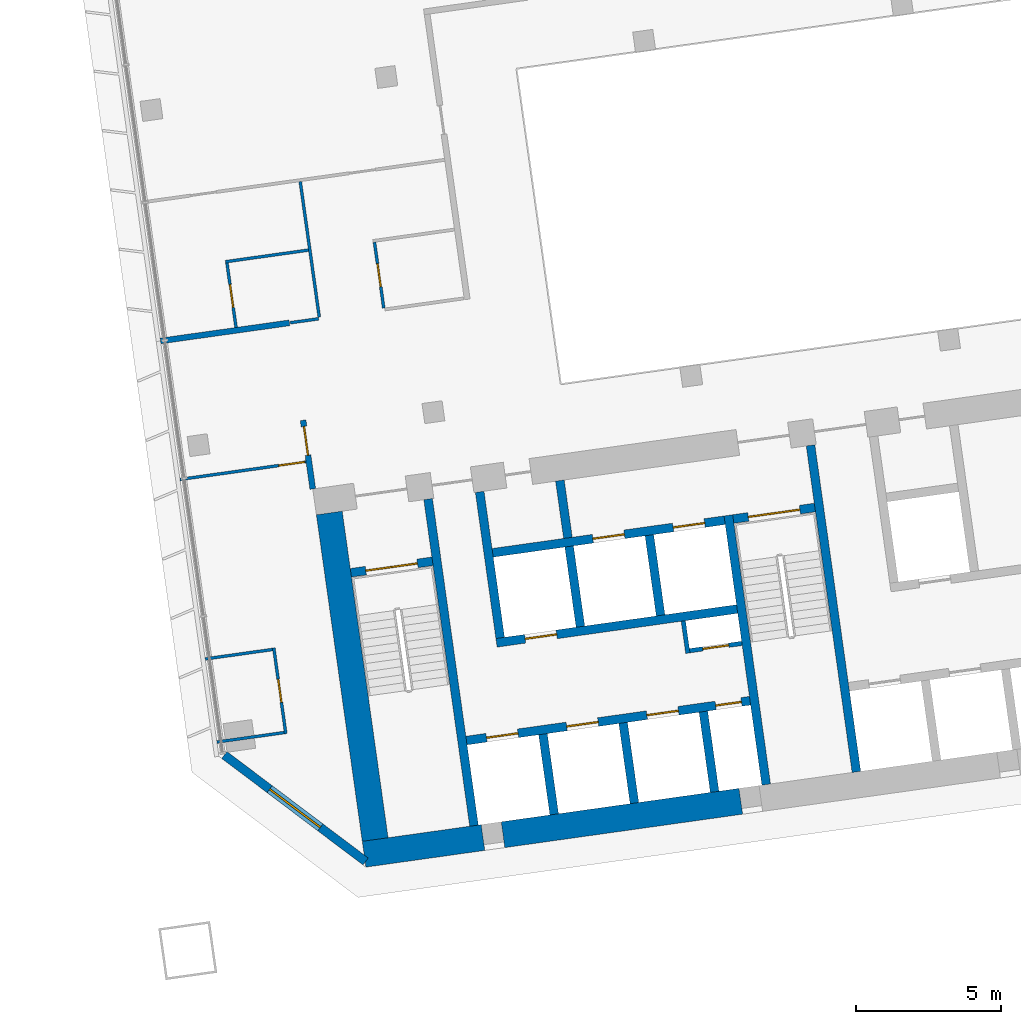
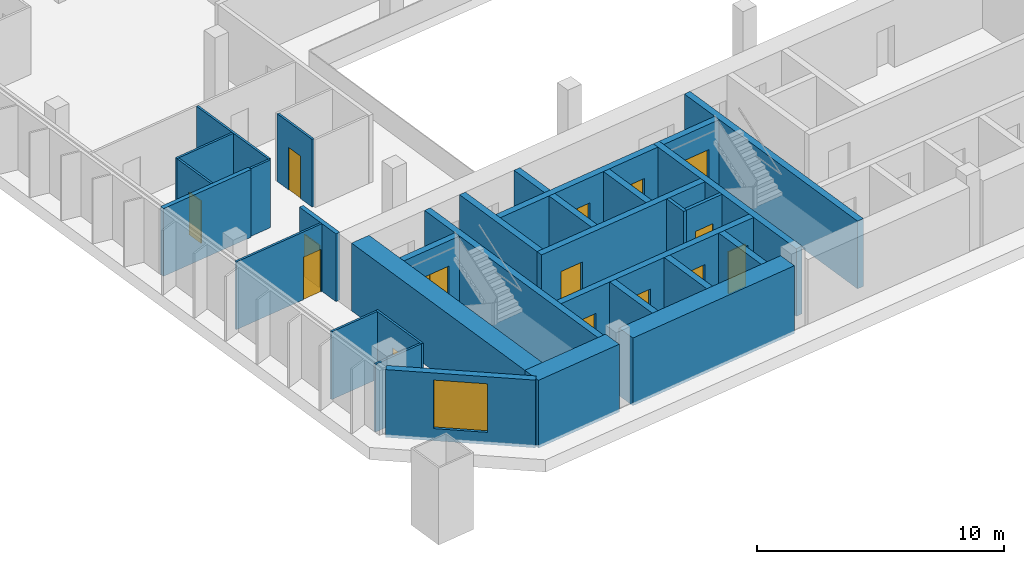
# One storey, part 19 of 25: 32 walls, 15 doors, 1 window, 16 openings.
"""IFC4 building model written with IfcOpenShell, lengths in metres."""

from ifc_helpers import new_model, si_unit, direction, frame, frame_2d, origin, place, context, subcontext, project, spatial, rectangle, extrude, material, layer, layer_set, type_object, element, fill, save


model = new_model("IFC4")

# Units and contexts
model_context = context("Model", 3, precision=1e-05, world=origin(), true_north=direction((0.0, 1.0)))
body_context = subcontext(model_context, "Body", "Model", "MODEL_VIEW")
ifc_project = project(units=[si_unit("LENGTHUNIT", "METRE"), si_unit("AREAUNIT", "SQUARE_METRE"), si_unit("VOLUMEUNIT", "CUBIC_METRE"), si_unit("PLANEANGLEUNIT", "RADIAN"), si_unit("MASSUNIT", "GRAM", prefix="KILO")], contexts=[model_context])

# Site, building, storey
site_placement = place(None, origin())
site = spatial("IfcSite", under=ifc_project, at=site_placement, CompositionType="ELEMENT")
building_placement = place(site_placement, origin())
building = spatial("IfcBuilding", under=site, at=building_placement, Name="Mirante Cascada Hotel Towers", CompositionType="ELEMENT")
storey_placement = place(building_placement, frame((0.0, 0.0, 62.3)))
storey = spatial("IfcBuildingStorey", under=building, at=storey_placement, Name="L12", CompositionType="ELEMENT", Elevation=62.3)

# Wall
ifc_material_1 = material(Name="Fire-rated plasterboard on metal studs")
ifc_layer_1 = layer(ifc_material_1, 0.2)
ifc_layer_set_1 = layer_set([ifc_layer_1], Name="Compartment wall 200 EI 120")
wall_type_1 = type_object("IfcWallType", Name="Compartment wall 200 EI 120", PredefinedType="PARTITIONING", material=ifc_layer_set_1)
wall_1_placement = place(storey_placement, frame((34.4562, -1.3737, 0.0), z_axis=(0.0, 0.0, 1.0), x_axis=(-0.9902674, -0.1391779, 0.0)))
element("IfcWall", 1, at=wall_1_placement, inside=storey, type_object=wall_type_1, Name="Wall 2-L12-04", PredefinedType="PARTITIONING", context=body_context, shape_type="SweptSolid", body=[
    extrude(rectangle(XDim=4.5, YDim=0.2, at=frame_2d((2.25, 0.0))), origin(), (0.0, 0.0, 1.0), 3.35),
])

# Wall, opening, door
wall_2_placement = place(storey_placement, frame((35.2634, -7.1173, 0.0), z_axis=(0.0, 0.0, 1.0), x_axis=(-0.1391635, 0.9902694, 0.0)))
wall_2 = element("IfcWall", 2, at=wall_2_placement, inside=storey, type_object=wall_type_1, Name="Wall 2-L12-33", PredefinedType="PARTITIONING", context=body_context, shape_type="SweptSolid", body=[
    extrude(rectangle(XDim=2.4001, YDim=0.2, at=frame_2d((1.2, 0.0))), origin(), (0.0, 0.0, 1.0), 3.35),
])
opening_1_placement = place(wall_2_placement, frame((1.1833, 0.0, 0.0)))
opening_1 = element("IfcOpeningElement", 3, at=opening_1_placement, cuts=wall_2, Name="Opening D2-L12-28", PredefinedType="OPENING", context=body_context, shape_type="SweptSolid", body=[
    extrude(rectangle(XDim=1.0, YDim=2.1, at=frame_2d((0.5, 1.05))), frame((0.0, 0.1, 0.0), z_axis=(0.0, -1.0, 0.0), x_axis=(1.0, 0.0, 0.0)), (0.0, 0.0, 1.0), 0.2),
])
ifc_material_2 = material(Name="Fire-rated timber door leaf", Category="wood")
door_type_1 = type_object("IfcDoorType", Name="Entrance door DG1 1000x2100 EI 60", OperationType="SINGLE_SWING_LEFT", PredefinedType="DOOR", material=ifc_material_2)
door_1_placement = place(opening_1_placement, origin())
door_1 = element("IfcDoor", 4, at=door_1_placement, inside=storey, type_object=door_type_1, Name="Door D2-L12-28", OperationType="SINGLE_SWING_LEFT", OverallHeight=2.1, OverallWidth=1.0, PredefinedType="DOOR", context=body_context, shape_type="SweptSolid", body=[
    extrude(rectangle(XDim=1.0, YDim=2.1, at=frame_2d((0.5, 1.05))), frame((0.0, 0.025, 0.0), z_axis=(0.0, -1.0, 0.0), x_axis=(1.0, 0.0, 0.0)), (0.0, 0.0, 1.0), 0.05),
])
fill(opening_1, door_1)

# Wall
ifc_material_3 = material(Name="Masonry block", Category="masonry")
ifc_layer_2 = layer(ifc_material_3, 0.15)
ifc_layer_set_2 = layer_set([ifc_layer_2], Name="Core room partition 150 block EI 30")
wall_type_2 = type_object("IfcWallType", Name="Core room partition 150 block EI 30", PredefinedType="PARTITIONING", material=ifc_layer_set_2)
wall_3_placement = place(storey_placement, frame((48.2295, -12.793, 0.0), z_axis=(0.0, 0.0, 1.0), x_axis=(-0.1391935, 0.9902652, 0.0)))
element("IfcWall", 5, at=wall_3_placement, inside=storey, type_object=wall_type_2, Name="Core wall partition T2 L12 2", PredefinedType="PARTITIONING", context=body_context, shape_type="SweptSolid", body=[
    extrude(rectangle(XDim=1.1251, YDim=0.15, at=frame_2d((0.5626, 0.0))), origin(), (0.0, 0.0, 1.0), 3.35),
])

# Wall, opening, door
wall_4_placement = place(storey_placement, frame((48.2933, -12.7083, 0.0), z_axis=(0.0, 0.0, 1.0), x_axis=(0.990268, 0.1391734, 0.0)))
wall_4 = element("IfcWall", 6, at=wall_4_placement, inside=storey, type_object=wall_type_2, Name="Core wall partition T2 L12 3", PredefinedType="PARTITIONING", context=body_context, shape_type="SweptSolid", body=[
    extrude(rectangle(XDim=1.8251, YDim=0.15, at=frame_2d((0.9126, 0.0))), origin(), (0.0, 0.0, 1.0), 3.35),
])
opening_2_placement = place(wall_4_placement, frame((0.4625, 0.0, 0.0)))
opening_2 = element("IfcOpeningElement", 7, at=opening_2_placement, cuts=wall_4, Name="Opening D2-12-C23", PredefinedType="OPENING", context=body_context, shape_type="SweptSolid", body=[
    extrude(rectangle(XDim=0.9, YDim=2.1, at=frame_2d((0.45, 1.05))), frame((0.0, 0.075, 0.0), z_axis=(0.0, -1.0, 0.0), x_axis=(1.0, 0.0, 0.0)), (0.0, 0.0, 1.0), 0.15),
])
ifc_material_4 = material(Name="Hollow metal fire door leaf")
door_type_2 = type_object("IfcDoorType", Name="Fire door 900x2100 FD60", OperationType="NOTDEFINED", PredefinedType="DOOR", material=ifc_material_4)
door_2_placement = place(opening_2_placement, frame((0.9, 0.0, 0.0), z_axis=(0.0, 0.0, 1.0), x_axis=(-1.0, 0.0, 0.0)))
door_2 = element("IfcDoor", 8, at=door_2_placement, inside=storey, type_object=door_type_2, Name="Riser door T2 L12 23", OperationType="SINGLE_SWING_RIGHT", OverallHeight=2.1, OverallWidth=0.9, PredefinedType="DOOR", context=body_context, shape_type="SweptSolid", body=[
    extrude(rectangle(XDim=0.9, YDim=2.1, at=frame_2d((0.45, 1.05))), frame((0.0, 0.025, 0.0), z_axis=(0.0, -1.0, 0.0), x_axis=(1.0, 0.0, 0.0)), (0.0, 0.0, 1.0), 0.05),
])
fill(opening_2, door_2)

# Walls
ifc_material_5 = material(Name="Masonry block", Category="masonry")
ifc_layer_3 = layer(ifc_material_5, 0.3)
ifc_layer_set_3 = layer_set([ifc_layer_3], Name="Core wall 300 block EI 120")
wall_type_3 = type_object("IfcWallType", Name="Core wall 300 block EI 120", PredefinedType="PARTITIONING", material=ifc_layer_set_3)
wall_5_placement = place(storey_placement, frame((44.0843, -8.8061, 0.0), z_axis=(0.0, 0.0, 1.0), x_axis=(-0.1391951, 0.990265, 0.0)))
element("IfcWall", 9, at=wall_5_placement, inside=storey, type_object=wall_type_3, Name="Core wall partition T2 L12 1", PredefinedType="PARTITIONING", context=body_context, shape_type="SweptSolid", body=[
    extrude(rectangle(XDim=2.0001, YDim=0.3, at=frame_2d((1.0001, 0.0))), origin(), (0.0, 0.0, 1.0), 3.35),
])
ifc_material_6 = material(Name="Plasterboard on metal studs")
ifc_layer_4 = layer(ifc_material_6, 0.1)
ifc_layer_set_4 = layer_set([ifc_layer_4], Name="Partition 100")
wall_type_4 = type_object("IfcWallType", Name="Partition 100", PredefinedType="PARTITIONING", material=ifc_layer_set_4)
for number, where, z_axis, x_axis, name in (
    (10, (31.9484, -15.8638, 0.0), (0.0, 0.0, 1.0), (0.9902661, 0.139187, 0.0), "Wall 2-L12-01"),
    (11, (33.872, -12.6649, 0.0), (0.0, 0.0, 1.0), (-0.9902661, -0.139187, 0.0), "Wall 2-L12-02"),
):
    element("IfcWall", number, at=place(storey_placement, frame(where, z_axis=z_axis, x_axis=x_axis)), inside=storey, type_object=wall_type_4, Name=name, PredefinedType="PARTITIONING", context=body_context, shape_type="SweptSolid", body=[
        extrude(rectangle(XDim=2.3501, YDim=0.1, at=frame_2d((1.175, 0.0))), origin(), (0.0, 0.0, 1.0), 3.35),
    ])

# Wall, opening, door
wall_6_placement = place(storey_placement, frame((30.6727, -6.7863, 0.0), z_axis=(0.0, 0.0, 1.0), x_axis=(0.9902665, 0.1391841, 0.0)))
wall_6 = element("IfcWall", 12, at=wall_6_placement, inside=storey, type_object=wall_type_4, Name="Wall 2-L12-03", PredefinedType="PARTITIONING", context=body_context, shape_type="SweptSolid", body=[
    extrude(rectangle(XDim=4.3999, YDim=0.1, at=frame_2d((2.2, 0.0))), origin(), (0.0, 0.0, 1.0), 3.35),
])
opening_3_placement = place(wall_6_placement, frame((3.45, 0.0, 0.0)))
opening_3 = element("IfcOpeningElement", 13, at=opening_3_placement, cuts=wall_6, Name="Opening D2-L12-01", PredefinedType="OPENING", context=body_context, shape_type="SweptSolid", body=[
    extrude(rectangle(XDim=0.9, YDim=2.1, at=frame_2d((0.45, 1.05))), frame((0.0, 0.05, 0.0), z_axis=(0.0, -1.0, 0.0), x_axis=(1.0, 0.0, 0.0)), (0.0, 0.0, 1.0), 0.1),
])
ifc_material_7 = material(Name="Timber door leaf", Category="wood")
door_type_3 = type_object("IfcDoorType", Name="Room door DG3 900x2100", OperationType="SINGLE_SWING_LEFT", PredefinedType="DOOR", material=ifc_material_7)
door_3_placement = place(opening_3_placement, frame((0.9, 0.0, 0.0), z_axis=(0.0, 0.0, 1.0), x_axis=(-1.0, 0.0, 0.0)))
door_3 = element("IfcDoor", 14, at=door_3_placement, inside=storey, type_object=door_type_3, Name="Door D2-L12-01", OperationType="SINGLE_SWING_RIGHT", OverallHeight=2.1, OverallWidth=0.9, PredefinedType="DOOR", context=body_context, shape_type="SweptSolid", body=[
    extrude(rectangle(XDim=0.9, YDim=2.1, at=frame_2d((0.45, 1.05))), frame((0.0, 0.025, 0.0), z_axis=(0.0, -1.0, 0.0), x_axis=(1.0, 0.0, 0.0)), (0.0, 0.0, 1.0), 0.05),
])
fill(opening_3, door_3)

# Walls
wall_7_placement = place(storey_placement, frame((34.4859, -1.3695, 0.0), z_axis=(0.0, 0.0, 1.0), x_axis=(0.9902801, 0.1390877, 0.0)))
element("IfcWall", 15, at=wall_7_placement, inside=storey, type_object=wall_type_4, Name="Wall 2-L12-05", PredefinedType="PARTITIONING", context=body_context, shape_type="SweptSolid", body=[
    extrude(rectangle(XDim=0.99, YDim=0.1, at=frame_2d((0.495, 0.0))), origin(), (0.0, 0.0, 1.0), 3.35),
])
wall_8_placement = place(storey_placement, frame((35.1125, 1.1421, 0.0), z_axis=(0.0, 0.0, 1.0), x_axis=(-0.9902683, -0.1391714, 0.0)))
element("IfcWall", 16, at=wall_8_placement, inside=storey, type_object=wall_type_4, Name="Wall 2-L12-08", PredefinedType="PARTITIONING", context=body_context, shape_type="SweptSolid", body=[
    extrude(rectangle(XDim=2.9, YDim=0.1, at=frame_2d((1.45, 0.0))), origin(), (0.0, 0.0, 1.0), 3.35),
])

# Wall, opening, door
wall_9_placement = place(storey_placement, frame((34.332, -15.5793, 0.0), z_axis=(0.0, 0.0, 1.0), x_axis=(-0.1391624, 0.9902696, 0.0)))
wall_9 = element("IfcWall", 17, at=wall_9_placement, inside=storey, type_object=wall_type_4, Name="Wall 2-L12-31", PredefinedType="PARTITIONING", context=body_context, shape_type="SweptSolid", body=[
    extrude(rectangle(XDim=3.0001, YDim=0.1, at=frame_2d((1.5001, 0.0))), origin(), (0.0, 0.0, 1.0), 3.35),
])
opening_4_placement = place(wall_9_placement, frame((1.1, 0.0, 0.0)))
opening_4 = element("IfcOpeningElement", 18, at=opening_4_placement, cuts=wall_9, Name="Opening D2-L12-26", PredefinedType="OPENING", context=body_context, shape_type="SweptSolid", body=[
    extrude(rectangle(XDim=0.8, YDim=2.1, at=frame_2d((0.4, 1.05))), frame((0.0, 0.05, 0.0), z_axis=(0.0, -1.0, 0.0), x_axis=(1.0, 0.0, 0.0)), (0.0, 0.0, 1.0), 0.1),
])
ifc_material_8 = material(Name="Timber door leaf", Category="wood")
door_type_4 = type_object("IfcDoorType", Name="Bathroom door DG4 800x2100", OperationType="SINGLE_SWING_LEFT", PredefinedType="DOOR", material=ifc_material_8)
door_4_placement = place(opening_4_placement, frame((0.8, 0.0, 0.0), z_axis=(0.0, 0.0, 1.0), x_axis=(-1.0, 0.0, 0.0)))
door_4 = element("IfcDoor", 19, at=door_4_placement, inside=storey, type_object=door_type_4, Name="Door D2-L12-26", OperationType="SINGLE_SWING_RIGHT", OverallHeight=2.1, OverallWidth=0.8, PredefinedType="DOOR", context=body_context, shape_type="SweptSolid", body=[
    extrude(rectangle(XDim=0.8, YDim=2.1, at=frame_2d((0.4, 1.05))), frame((0.0, 0.025, 0.0), z_axis=(0.0, -1.0, 0.0), x_axis=(1.0, 0.0, 0.0)), (0.0, 0.0, 1.0), 0.05),
])
fill(opening_4, door_4)

wall_10_placement = place(storey_placement, frame((32.2972, 0.6959, 0.0), z_axis=(0.0, 0.0, 1.0), x_axis=(0.1391561, -0.9902705, 0.0)))
wall_10 = element("IfcWall", 20, at=wall_10_placement, inside=storey, type_object=wall_type_4, Name="Wall 2-L12-32", PredefinedType="PARTITIONING", context=body_context, shape_type="SweptSolid", body=[
    extrude(rectangle(XDim=2.25, YDim=0.1, at=frame_2d((1.125, 0.0))), origin(), (0.0, 0.0, 1.0), 3.35),
])
opening_5_placement = place(wall_10_placement, frame((0.75, 0.0, 0.0)))
opening_5 = element("IfcOpeningElement", 21, at=opening_5_placement, cuts=wall_10, Name="Opening D2-L12-27", PredefinedType="OPENING", context=body_context, shape_type="SweptSolid", body=[
    extrude(rectangle(XDim=0.8, YDim=2.1, at=frame_2d((0.4, 1.05))), frame((0.0, 0.05, 0.0), z_axis=(0.0, -1.0, 0.0), x_axis=(1.0, 0.0, 0.0)), (0.0, 0.0, 1.0), 0.1),
])
door_5_placement = place(opening_5_placement, origin())
door_5 = element("IfcDoor", 22, at=door_5_placement, inside=storey, type_object=door_type_4, Name="Door D2-L12-27", OperationType="SINGLE_SWING_LEFT", OverallHeight=2.1, OverallWidth=0.8, PredefinedType="DOOR", context=body_context, shape_type="SweptSolid", body=[
    extrude(rectangle(XDim=0.8, YDim=2.1, at=frame_2d((0.4, 1.05))), frame((0.0, 0.025, 0.0), z_axis=(0.0, -1.0, 0.0), x_axis=(1.0, 0.0, 0.0)), (0.0, 0.0, 1.0), 0.05),
])
fill(opening_5, door_5)

# Wall
wall_11_placement = place(storey_placement, frame((35.489, -1.1781, 0.0), z_axis=(0.0, 0.0, 1.0), x_axis=(-0.1391613, 0.9902697, 0.0)))
element("IfcWall", 23, at=wall_11_placement, inside=storey, type_object=wall_type_4, Name="Wall 2-L12-35", PredefinedType="PARTITIONING", context=body_context, shape_type="SweptSolid", body=[
    extrude(rectangle(XDim=4.7334, YDim=0.1, at=frame_2d((2.3667, 0.0))), origin(), (0.0, 0.0, 1.0), 3.35),
])

# Wall, opening, door
wall_12_placement = place(storey_placement, frame((37.397, 1.4127, 0.0), z_axis=(0.0, 0.0, 1.0), x_axis=(0.1391749, -0.9902678, 0.0)))
wall_12 = element("IfcWall", 24, at=wall_12_placement, inside=storey, type_object=wall_type_4, Name="Wall 2-L12-36", PredefinedType="PARTITIONING", context=body_context, shape_type="SweptSolid", body=[
    extrude(rectangle(XDim=2.3, YDim=0.1, at=frame_2d((1.15, 0.0))), origin(), (0.0, 0.0, 1.0), 3.35),
])
opening_6_placement = place(wall_12_placement, frame((0.75, 0.0, 0.0)))
opening_6 = element("IfcOpeningElement", 25, at=opening_6_placement, cuts=wall_12, Name="Opening D2-L12-30", PredefinedType="OPENING", context=body_context, shape_type="SweptSolid", body=[
    extrude(rectangle(XDim=0.8, YDim=2.1, at=frame_2d((0.4, 1.05))), frame((0.0, 0.05, 0.0), z_axis=(0.0, -1.0, 0.0), x_axis=(1.0, 0.0, 0.0)), (0.0, 0.0, 1.0), 0.1),
])
door_6_placement = place(opening_6_placement, origin())
door_6 = element("IfcDoor", 26, at=door_6_placement, inside=storey, type_object=door_type_4, Name="Door D2-L12-30", OperationType="SINGLE_SWING_LEFT", OverallHeight=2.1, OverallWidth=0.8, PredefinedType="DOOR", context=body_context, shape_type="SweptSolid", body=[
    extrude(rectangle(XDim=0.8, YDim=2.1, at=frame_2d((0.4, 1.05))), frame((0.0, 0.025, 0.0), z_axis=(0.0, -1.0, 0.0), x_axis=(1.0, 0.0, 0.0)), (0.0, 0.0, 1.0), 0.05),
])
fill(opening_6, door_6)

# Wall, opening, window
ifc_material_9 = material(Name="Precast concrete C40/50", Category="concrete")
ifc_layer_5 = layer(ifc_material_9, 0.3)
ifc_layer_set_5 = layer_set([ifc_layer_5], Name="Precast concrete C40/50 cladding wall 300")
wall_type_5 = type_object("IfcWallType", Name="Precast concrete C40/50 cladding wall 300", PredefinedType="STANDARD", material=ifc_layer_set_5)
wall_13_placement = place(storey_placement, frame((32.2074, -16.3138, 0.0), z_axis=(0.0, 0.0, 1.0), x_axis=(0.7986362, -0.6018141, 0.0)))
wall_13 = element("IfcWall", 27, at=wall_13_placement, inside=storey, type_object=wall_type_5, Name="Corner cladding wall T2 L12 inner rear", PredefinedType="STANDARD", context=body_context, shape_type="SweptSolid", body=[
    extrude(rectangle(XDim=6.1157, YDim=0.3, at=frame_2d((3.0578, 0.0))), origin(), (0.0, 0.0, 1.0), 3.35),
])
opening_7_placement = place(wall_13_placement, frame((1.9578, 0.0, 0.6)))
opening_7 = element("IfcOpeningElement", 28, at=opening_7_placement, cuts=wall_13, Name="Opening W2-12-05", PredefinedType="OPENING", context=body_context, shape_type="SweptSolid", body=[
    extrude(rectangle(XDim=2.2, YDim=2.4, at=frame_2d((1.1, 1.2))), frame((0.0, 0.15, 0.0), z_axis=(0.0, -1.0, 0.0), x_axis=(1.0, 0.0, 0.0)), (0.0, 0.0, 1.0), 0.3),
])
ifc_material_10 = material(Name="Aluminium frame with clear double glazing", Category="aluminium")
window_type = type_object("IfcWindowType", Name="Corner suite window 2200x2400", PartitioningType="DOUBLE_PANEL_VERTICAL", PredefinedType="WINDOW", material=ifc_material_10)
window_placement = place(opening_7_placement, origin())
window = element("IfcWindow", 29, at=window_placement, inside=storey, type_object=window_type, Name="Window W2-12-05", OverallHeight=2.4, OverallWidth=2.2, PartitioningType="SINGLE_PANEL", PredefinedType="WINDOW", context=body_context, shape_type="SweptSolid", body=[
    extrude(rectangle(XDim=2.2, YDim=2.4, at=frame_2d((1.1, 1.2))), frame((0.0, 0.03, 0.0), z_axis=(0.0, -1.0, 0.0), x_axis=(1.0, 0.0, 0.0)), (0.0, 0.0, 1.0), 0.06),
])
fill(opening_7, window)

# Walls
ifc_material_11 = material(Name="Concrete C50/60", Category="concrete")
ifc_layer_6 = layer(ifc_material_11, 0.3)
ifc_layer_set_6 = layer_set([ifc_layer_6], Name="RC core wall 300 C50/60")
wall_type_6 = type_object("IfcWallType", Name="RC core wall 300 C50/60", PredefinedType="SHEAR", material=ifc_layer_set_6)
wall_14_placement = place(storey_placement, frame((40.8373, -18.7548, 0.0), z_axis=(0.0, 0.0, 1.0), x_axis=(-0.1391749, 0.9902678, 0.0)))
element("IfcWall", 30, at=wall_14_placement, inside=storey, type_object=wall_type_6, Name="Core wall T2:L12:5", PredefinedType="SHEAR", context=body_context, shape_type="SweptSolid", body=[
    extrude(rectangle(XDim=11.4, YDim=0.3, at=frame_2d((5.7, 0.0))), origin(), (0.0, 0.0, 1.0), 3.35),
])
wall_15_placement = place(storey_placement, frame((50.938, -17.3352, 0.0), z_axis=(0.0, 0.0, 1.0), x_axis=(-0.1391706, 0.9902684, 0.0)))
element("IfcWall", 31, at=wall_15_placement, inside=storey, type_object=wall_type_6, Name="Core wall T2:L12:6", PredefinedType="SHEAR", context=body_context, shape_type="SweptSolid", body=[
    extrude(rectangle(XDim=9.4, YDim=0.3, at=frame_2d((4.7, 0.0))), origin(), (0.0, 0.0, 1.0), 3.35),
])
wall_16_placement = place(storey_placement, frame((54.0574, -16.8968, 0.0), z_axis=(0.0, 0.0, 1.0), x_axis=(-0.1391761, 0.9902677, 0.0)))
element("IfcWall", 32, at=wall_16_placement, inside=storey, type_object=wall_type_6, Name="Core wall T2:L12:7", PredefinedType="SHEAR", context=body_context, shape_type="SweptSolid", body=[
    extrude(rectangle(XDim=11.3999, YDim=0.3, at=frame_2d((5.7, 0.0))), origin(), (0.0, 0.0, 1.0), 3.35),
])

# Wall, opening, door
wall_17_placement = place(storey_placement, frame((36.5791, -10.0123, 0.0), z_axis=(0.0, 0.0, 1.0), x_axis=(0.9902704, 0.1391564, 0.0)))
wall_17 = element("IfcWall", 33, at=wall_17_placement, inside=storey, type_object=wall_type_6, Name="Core wall T2:L12:9", PredefinedType="SHEAR", context=body_context, shape_type="SweptSolid", body=[
    extrude(rectangle(XDim=2.85, YDim=0.3, at=frame_2d((1.425, 0.0))), origin(), (0.0, 0.0, 1.0), 3.35),
])
opening_8_placement = place(wall_17_placement, frame((0.525, 0.0, 0.0)))
opening_8 = element("IfcOpeningElement", 34, at=opening_8_placement, cuts=wall_17, Name="Opening D2-12-C13", PredefinedType="OPENING", context=body_context, shape_type="SweptSolid", body=[
    extrude(rectangle(XDim=1.8, YDim=2.1, at=frame_2d((0.9, 1.05))), frame((0.0, 0.15, 0.0), z_axis=(0.0, -1.0, 0.0), x_axis=(1.0, 0.0, 0.0)), (0.0, 0.0, 1.0), 0.3),
])
ifc_material_12 = material(Name="Hollow metal fire door leaf")
door_type_5 = type_object("IfcDoorType", Name="Double fire door 1800x2100 FD60", OperationType="DOUBLE_DOOR_SINGLE_SWING", PredefinedType="DOOR", material=ifc_material_12)
door_7_placement = place(opening_8_placement, frame((1.8, 0.0, 0.0), z_axis=(0.0, 0.0, 1.0), x_axis=(-1.0, 0.0, 0.0)))
door_7 = element("IfcDoor", 35, at=door_7_placement, inside=storey, type_object=door_type_5, Name="Stair door T2 L12 13", OperationType="DOUBLE_DOOR_SINGLE_SWING", OverallHeight=2.1, OverallWidth=1.8, PredefinedType="DOOR", context=body_context, shape_type="SweptSolid", body=[
    extrude(rectangle(XDim=0.895, YDim=2.1, at=frame_2d((0.4475, 1.05))), frame((0.0, 0.025, 0.0), z_axis=(0.0, -1.0, 0.0), x_axis=(1.0, 0.0, 0.0)), (0.0, 0.0, 1.0), 0.05),
    extrude(rectangle(XDim=0.895, YDim=2.1, at=frame_2d((1.3525, 1.05))), frame((0.0, 0.025, 0.0), z_axis=(0.0, -1.0, 0.0), x_axis=(1.0, 0.0, 0.0)), (0.0, 0.0, 1.0), 0.05),
])
fill(opening_8, door_7)

wall_18_placement = place(storey_placement, frame((49.7992, -8.1544, 0.0), z_axis=(0.0, 0.0, 1.0), x_axis=(0.9902656, 0.1391909, 0.0)))
wall_18 = element("IfcWall", 36, at=wall_18_placement, inside=storey, type_object=wall_type_6, Name="Core wall T2:L12:10", PredefinedType="SHEAR", context=body_context, shape_type="SweptSolid", body=[
    extrude(rectangle(XDim=2.85, YDim=0.3, at=frame_2d((1.425, 0.0))), origin(), (0.0, 0.0, 1.0), 3.35),
])
opening_9_placement = place(wall_18_placement, frame((0.525, 0.0, 0.0)))
opening_9 = element("IfcOpeningElement", 37, at=opening_9_placement, cuts=wall_18, Name="Opening D2-12-C15", PredefinedType="OPENING", context=body_context, shape_type="SweptSolid", body=[
    extrude(rectangle(XDim=1.8, YDim=2.1, at=frame_2d((0.9, 1.05))), frame((0.0, 0.15, 0.0), z_axis=(0.0, -1.0, 0.0), x_axis=(1.0, 0.0, 0.0)), (0.0, 0.0, 1.0), 0.3),
])
door_8_placement = place(opening_9_placement, frame((1.8, 0.0, 0.0), z_axis=(0.0, 0.0, 1.0), x_axis=(-1.0, 0.0, 0.0)))
door_8 = element("IfcDoor", 38, at=door_8_placement, inside=storey, type_object=door_type_5, Name="Stair door T2 L12 15", OperationType="DOUBLE_DOOR_SINGLE_SWING", OverallHeight=2.1, OverallWidth=1.8, PredefinedType="DOOR", context=body_context, shape_type="SweptSolid", body=[
    extrude(rectangle(XDim=0.895, YDim=2.1, at=frame_2d((0.4475, 1.05))), frame((0.0, 0.025, 0.0), z_axis=(0.0, -1.0, 0.0), x_axis=(1.0, 0.0, 0.0)), (0.0, 0.0, 1.0), 0.05),
    extrude(rectangle(XDim=0.895, YDim=2.1, at=frame_2d((1.3525, 1.05))), frame((0.0, 0.025, 0.0), z_axis=(0.0, -1.0, 0.0), x_axis=(1.0, 0.0, 0.0)), (0.0, 0.0, 1.0), 0.05),
])
fill(opening_9, door_8)

# Wall, openings, doors
wall_19_placement = place(storey_placement, frame((40.5753, -15.8126, 0.0), z_axis=(0.0, 0.0, 1.0), x_axis=(0.9902682, 0.1391725, 0.0)))
wall_19 = element("IfcWall", 39, at=wall_19_placement, inside=storey, type_object=wall_type_6, Name="Core wall T2:L12:12", PredefinedType="SHEAR", context=body_context, shape_type="SweptSolid", body=[
    extrude(rectangle(XDim=9.8999, YDim=0.3, at=frame_2d((4.95, 0.0))), origin(), (0.0, 0.0, 1.0), 3.35),
])
opening_10_placement = place(wall_19_placement, frame((0.7, 0.0, 0.0)))
opening_10 = element("IfcOpeningElement", 40, at=opening_10_placement, cuts=wall_19, Name="Opening LD", PredefinedType="OPENING", context=body_context, shape_type="SweptSolid", body=[
    extrude(rectangle(XDim=1.1, YDim=2.1, at=frame_2d((0.55, 1.05))), frame((0.0, 0.15, 0.0), z_axis=(0.0, -1.0, 0.0), x_axis=(1.0, 0.0, 0.0)), (0.0, 0.0, 1.0), 0.3),
])
opening_11_placement = place(wall_19_placement, frame((3.5, 0.0, 0.0)))
opening_11 = element("IfcOpeningElement", 41, at=opening_11_placement, cuts=wall_19, Name="Opening LD", PredefinedType="OPENING", context=body_context, shape_type="SweptSolid", body=[
    extrude(rectangle(XDim=1.1, YDim=2.1, at=frame_2d((0.55, 1.05))), frame((0.0, 0.15, 0.0), z_axis=(0.0, -1.0, 0.0), x_axis=(1.0, 0.0, 0.0)), (0.0, 0.0, 1.0), 0.3),
])
opening_12_placement = place(wall_19_placement, frame((6.3, 0.0, 0.0)))
opening_12 = element("IfcOpeningElement", 42, at=opening_12_placement, cuts=wall_19, Name="Opening LD", PredefinedType="OPENING", context=body_context, shape_type="SweptSolid", body=[
    extrude(rectangle(XDim=1.1, YDim=2.1, at=frame_2d((0.55, 1.05))), frame((0.0, 0.15, 0.0), z_axis=(0.0, -1.0, 0.0), x_axis=(1.0, 0.0, 0.0)), (0.0, 0.0, 1.0), 0.3),
])
opening_13_placement = place(wall_19_placement, frame((8.7, 0.0, 0.0)))
opening_13 = element("IfcOpeningElement", 43, at=opening_13_placement, cuts=wall_19, Name="Opening D2-12-C22", PredefinedType="OPENING", context=body_context, shape_type="SweptSolid", body=[
    extrude(rectangle(XDim=0.9, YDim=2.1, at=frame_2d((0.45, 1.05))), frame((0.0, 0.15, 0.0), z_axis=(0.0, -1.0, 0.0), x_axis=(1.0, 0.0, 0.0)), (0.0, 0.0, 1.0), 0.3),
])
door_9_placement = place(opening_13_placement, frame((0.9, 0.0, 0.0), z_axis=(0.0, 0.0, 1.0), x_axis=(-1.0, 0.0, 0.0)))
door_9 = element("IfcDoor", 44, at=door_9_placement, inside=storey, type_object=door_type_2, Name="Riser door T2 L12 22", OperationType="SINGLE_SWING_RIGHT", OverallHeight=2.1, OverallWidth=0.9, PredefinedType="DOOR", context=body_context, shape_type="SweptSolid", body=[
    extrude(rectangle(XDim=0.9, YDim=2.1, at=frame_2d((0.45, 1.05))), frame((0.0, 0.025, 0.0), z_axis=(0.0, -1.0, 0.0), x_axis=(1.0, 0.0, 0.0)), (0.0, 0.0, 1.0), 0.05),
])
fill(opening_13, door_9)
ifc_material_13 = material(Name="Stainless steel", Category="steel")
door_type_6 = type_object("IfcDoorType", Name="Lift landing door 1100x2100 EI 120", OperationType="DOUBLE_DOOR_SLIDING", PredefinedType="DOOR", material=ifc_material_13)
door_10_placement = place(opening_10_placement, origin())
door_10 = element("IfcDoor", 45, at=door_10_placement, inside=storey, type_object=door_type_6, Name="Lift landing door HR2-1 L12", OperationType="DOUBLE_DOOR_SLIDING", OverallHeight=2.1, OverallWidth=1.1, PredefinedType="DOOR", context=body_context, shape_type="SweptSolid", body=[
    extrude(rectangle(XDim=0.545, YDim=2.1, at=frame_2d((0.2725, 1.05))), frame((0.0, 0.025, 0.0), z_axis=(0.0, -1.0, 0.0), x_axis=(1.0, 0.0, 0.0)), (0.0, 0.0, 1.0), 0.05),
    extrude(rectangle(XDim=0.545, YDim=2.1, at=frame_2d((0.8275, 1.05))), frame((0.0, 0.025, 0.0), z_axis=(0.0, -1.0, 0.0), x_axis=(1.0, 0.0, 0.0)), (0.0, 0.0, 1.0), 0.05),
])
fill(opening_10, door_10)
door_11_placement = place(opening_11_placement, origin())
door_11 = element("IfcDoor", 46, at=door_11_placement, inside=storey, type_object=door_type_6, Name="Lift landing door HR2-2 L12", OperationType="DOUBLE_DOOR_SLIDING", OverallHeight=2.1, OverallWidth=1.1, PredefinedType="DOOR", context=body_context, shape_type="SweptSolid", body=[
    extrude(rectangle(XDim=0.545, YDim=2.1, at=frame_2d((0.2725, 1.05))), frame((0.0, 0.025, 0.0), z_axis=(0.0, -1.0, 0.0), x_axis=(1.0, 0.0, 0.0)), (0.0, 0.0, 1.0), 0.05),
    extrude(rectangle(XDim=0.545, YDim=2.1, at=frame_2d((0.8275, 1.05))), frame((0.0, 0.025, 0.0), z_axis=(0.0, -1.0, 0.0), x_axis=(1.0, 0.0, 0.0)), (0.0, 0.0, 1.0), 0.05),
])
fill(opening_11, door_11)
door_12_placement = place(opening_12_placement, origin())
door_12 = element("IfcDoor", 47, at=door_12_placement, inside=storey, type_object=door_type_6, Name="Lift landing door HR2-3 L12", OperationType="DOUBLE_DOOR_SLIDING", OverallHeight=2.1, OverallWidth=1.1, PredefinedType="DOOR", context=body_context, shape_type="SweptSolid", body=[
    extrude(rectangle(XDim=0.545, YDim=2.1, at=frame_2d((0.2725, 1.05))), frame((0.0, 0.025, 0.0), z_axis=(0.0, -1.0, 0.0), x_axis=(1.0, 0.0, 0.0)), (0.0, 0.0, 1.0), 0.05),
    extrude(rectangle(XDim=0.545, YDim=2.1, at=frame_2d((0.8275, 1.05))), frame((0.0, 0.025, 0.0), z_axis=(0.0, -1.0, 0.0), x_axis=(1.0, 0.0, 0.0)), (0.0, 0.0, 1.0), 0.05),
])
fill(opening_12, door_12)

# Wall, opening, door
wall_20_placement = place(storey_placement, frame((41.6153, -12.435, 0.0), z_axis=(0.0, 0.0, 1.0), x_axis=(0.9902691, 0.139166, 0.0)))
wall_20 = element("IfcWall", 48, at=wall_20_placement, inside=storey, type_object=wall_type_6, Name="Core wall T2:L12:13", PredefinedType="SHEAR", context=body_context, shape_type="SweptSolid", body=[
    extrude(rectangle(XDim=8.4, YDim=0.3, at=frame_2d((4.2, 0.0))), origin(), (0.0, 0.0, 1.0), 3.35),
])
opening_14_placement = place(wall_20_placement, frame((1.0, 0.0, 0.0)))
opening_14 = element("IfcOpeningElement", 49, at=opening_14_placement, cuts=wall_20, Name="Opening LD", PredefinedType="OPENING", context=body_context, shape_type="SweptSolid", body=[
    extrude(rectangle(XDim=1.1, YDim=2.1, at=frame_2d((0.55, 1.05))), frame((0.0, 0.15, 0.0), z_axis=(0.0, -1.0, 0.0), x_axis=(1.0, 0.0, 0.0)), (0.0, 0.0, 1.0), 0.3),
])
door_13_placement = place(opening_14_placement, origin())
door_13 = element("IfcDoor", 50, at=door_13_placement, inside=storey, type_object=door_type_6, Name="Lift landing door HR2-4 L12", OperationType="DOUBLE_DOOR_SLIDING", OverallHeight=2.1, OverallWidth=1.1, PredefinedType="DOOR", context=body_context, shape_type="SweptSolid", body=[
    extrude(rectangle(XDim=0.545, YDim=2.1, at=frame_2d((0.2725, 1.05))), frame((0.0, 0.025, 0.0), z_axis=(0.0, -1.0, 0.0), x_axis=(1.0, 0.0, 0.0)), (0.0, 0.0, 1.0), 0.05),
    extrude(rectangle(XDim=0.545, YDim=2.1, at=frame_2d((0.8275, 1.05))), frame((0.0, 0.025, 0.0), z_axis=(0.0, -1.0, 0.0), x_axis=(1.0, 0.0, 0.0)), (0.0, 0.0, 1.0), 0.05),
])
fill(opening_14, door_13)

# Wall, openings, doors
wall_21_placement = place(storey_placement, frame((41.481, -9.3234, 0.0), z_axis=(0.0, 0.0, 1.0), x_axis=(0.9902679, 0.1391741, 0.0)))
wall_21 = element("IfcWall", 51, at=wall_21_placement, inside=storey, type_object=wall_type_6, Name="Core wall T2:L12:14", PredefinedType="SHEAR", context=body_context, shape_type="SweptSolid", body=[
    extrude(rectangle(XDim=8.0999, YDim=0.3, at=frame_2d((4.05, 0.0))), origin(), (0.0, 0.0, 1.0), 3.35),
])
opening_15_placement = place(wall_21_placement, frame((3.5, 0.0, 0.0)))
opening_15 = element("IfcOpeningElement", 52, at=opening_15_placement, cuts=wall_21, Name="Opening LD", PredefinedType="OPENING", context=body_context, shape_type="SweptSolid", body=[
    extrude(rectangle(XDim=1.1, YDim=2.1, at=frame_2d((0.55, 1.05))), frame((0.0, 0.15, 0.0), z_axis=(0.0, -1.0, 0.0), x_axis=(1.0, 0.0, 0.0)), (0.0, 0.0, 1.0), 0.3),
])
opening_16_placement = place(wall_21_placement, frame((6.3, 0.0, 0.0)))
opening_16 = element("IfcOpeningElement", 53, at=opening_16_placement, cuts=wall_21, Name="Opening LD", PredefinedType="OPENING", context=body_context, shape_type="SweptSolid", body=[
    extrude(rectangle(XDim=1.1, YDim=2.1, at=frame_2d((0.55, 1.05))), frame((0.0, 0.15, 0.0), z_axis=(0.0, -1.0, 0.0), x_axis=(1.0, 0.0, 0.0)), (0.0, 0.0, 1.0), 0.3),
])
door_14_placement = place(opening_15_placement, origin())
door_14 = element("IfcDoor", 54, at=door_14_placement, inside=storey, type_object=door_type_6, Name="Lift landing door FF3 L12", OperationType="DOUBLE_DOOR_SLIDING", OverallHeight=2.1, OverallWidth=1.1, PredefinedType="DOOR", context=body_context, shape_type="SweptSolid", body=[
    extrude(rectangle(XDim=0.545, YDim=2.1, at=frame_2d((0.2725, 1.05))), frame((0.0, 0.025, 0.0), z_axis=(0.0, -1.0, 0.0), x_axis=(1.0, 0.0, 0.0)), (0.0, 0.0, 1.0), 0.05),
    extrude(rectangle(XDim=0.545, YDim=2.1, at=frame_2d((0.8275, 1.05))), frame((0.0, 0.025, 0.0), z_axis=(0.0, -1.0, 0.0), x_axis=(1.0, 0.0, 0.0)), (0.0, 0.0, 1.0), 0.05),
])
fill(opening_15, door_14)
door_15_placement = place(opening_16_placement, origin())
door_15 = element("IfcDoor", 55, at=door_15_placement, inside=storey, type_object=door_type_6, Name="Lift landing door FF4 L12", OperationType="DOUBLE_DOOR_SLIDING", OverallHeight=2.1, OverallWidth=1.1, PredefinedType="DOOR", context=body_context, shape_type="SweptSolid", body=[
    extrude(rectangle(XDim=0.545, YDim=2.1, at=frame_2d((0.2725, 1.05))), frame((0.0, 0.025, 0.0), z_axis=(0.0, -1.0, 0.0), x_axis=(1.0, 0.0, 0.0)), (0.0, 0.0, 1.0), 0.05),
    extrude(rectangle(XDim=0.545, YDim=2.1, at=frame_2d((0.8275, 1.05))), frame((0.0, 0.025, 0.0), z_axis=(0.0, -1.0, 0.0), x_axis=(1.0, 0.0, 0.0)), (0.0, 0.0, 1.0), 0.05),
])
fill(opening_16, door_15)

# Walls
wall_22_placement = place(storey_placement, frame((43.61, -18.3651, 0.0), z_axis=(0.0, 0.0, 1.0), x_axis=(-0.1391459, 0.9902719, 0.0)))
element("IfcWall", 56, at=wall_22_placement, inside=storey, type_object=wall_type_6, Name="Core wall T2:L12:15", PredefinedType="SHEAR", context=body_context, shape_type="SweptSolid", body=[
    extrude(rectangle(XDim=2.7999, YDim=0.3, at=frame_2d((1.4, 0.0))), origin(), (0.0, 0.0, 1.0), 3.35),
])
wall_23_placement = place(storey_placement, frame((46.3828, -17.9754, 0.0), z_axis=(0.0, 0.0, 1.0), x_axis=(-0.139181, 0.990267, 0.0)))
element("IfcWall", 57, at=wall_23_placement, inside=storey, type_object=wall_type_6, Name="Core wall T2:L12:16", PredefinedType="SHEAR", context=body_context, shape_type="SweptSolid", body=[
    extrude(rectangle(XDim=2.8, YDim=0.3, at=frame_2d((1.4, 0.0))), origin(), (0.0, 0.0, 1.0), 3.35),
])
wall_24_placement = place(storey_placement, frame((49.1555, -17.5857, 0.0), z_axis=(0.0, 0.0, 1.0), x_axis=(-0.1391459, 0.9902719, 0.0)))
element("IfcWall", 58, at=wall_24_placement, inside=storey, type_object=wall_type_6, Name="Core wall T2:L12:17", PredefinedType="SHEAR", context=body_context, shape_type="SweptSolid", body=[
    extrude(rectangle(XDim=2.7999, YDim=0.3, at=frame_2d((1.4, 0.0))), origin(), (0.0, 0.0, 1.0), 3.35),
])
for number, where, z_axis, x_axis, name in (
    (59, (44.5157, -11.8759, 0.0), (0.0, 0.0, 1.0), (-0.139181, 0.990267, 0.0), "Core wall T2:L12:18"),
    (60, (47.2885, -11.4862, 0.0), (0.0, 0.0, 1.0), (-0.139181, 0.990267, 0.0), "Core wall T2:L12:19"),
):
    element("IfcWall", number, at=place(storey_placement, frame(where, z_axis=z_axis, x_axis=x_axis)), inside=storey, type_object=wall_type_6, Name=name, PredefinedType="SHEAR", context=body_context, shape_type="SweptSolid", body=[
        extrude(rectangle(XDim=2.8, YDim=0.3, at=frame_2d((1.4, 0.0))), origin(), (0.0, 0.0, 1.0), 3.35),
    ])
wall_25_placement = place(storey_placement, frame((41.743, -12.2656, 0.0), z_axis=(0.0, 0.0, 1.0), x_axis=(-0.1391755, 0.9902677, 0.0)))
element("IfcWall", 61, at=wall_25_placement, inside=storey, type_object=wall_type_6, Name="Core wall T2:L12:20", PredefinedType="SHEAR", context=body_context, shape_type="SweptSolid", body=[
    extrude(rectangle(XDim=5.1, YDim=0.3, at=frame_2d((2.55, 0.0))), origin(), (0.0, 0.0, 1.0), 3.35),
])
ifc_material_14 = material(Name="Concrete C50/60", Category="concrete")
ifc_layer_7 = layer(ifc_material_14, 0.9)
ifc_layer_set_7 = layer_set([ifc_layer_7], Name="RC core wall 900 C50/60")
wall_type_7 = type_object("IfcWallType", Name="RC core wall 900 C50/60", PredefinedType="SHEAR", material=ifc_layer_set_7)
wall_26_placement = place(storey_placement, frame((37.0379, -19.7432, 0.0), z_axis=(0.0, 0.0, 1.0), x_axis=(0.990267, 0.139181, 0.0)))
element("IfcWall", 62, at=wall_26_placement, inside=storey, type_object=wall_type_7, Name="Core wall T2:L12:1.1", PredefinedType="SHEAR", context=body_context, shape_type="SweptSolid", body=[
    extrude(rectangle(XDim=4.15, YDim=0.9, at=frame_2d((2.075, 0.0))), origin(), (0.0, 0.0, 1.0), 3.35),
])
wall_27_placement = place(storey_placement, frame((41.8407, -19.0682, 0.0), z_axis=(0.0, 0.0, 1.0), x_axis=(0.9902686, 0.1391692, 0.0)))
element("IfcWall", 63, at=wall_27_placement, inside=storey, type_object=wall_type_7, Name="Core wall T2:L12:1.2", PredefinedType="SHEAR", context=body_context, shape_type="SweptSolid", body=[
    extrude(rectangle(XDim=8.3, YDim=0.9, at=frame_2d((4.15, 0.0))), origin(), (0.0, 0.0, 1.0), 3.35),
])
wall_28_placement = place(storey_placement, frame((37.4209, -19.2349, 0.0), z_axis=(0.0, 0.0, 1.0), x_axis=(-0.1391761, 0.9902677, 0.0)))
element("IfcWall", 64, at=wall_28_placement, inside=storey, type_object=wall_type_7, Name="Core wall T2:L12:3", PredefinedType="SHEAR", context=body_context, shape_type="SweptSolid", body=[
    extrude(rectangle(XDim=11.3999, YDim=0.9, at=frame_2d((5.7, 0.0))), origin(), (0.0, 0.0, 1.0), 3.35),
])

save(model, "model.ifc")
